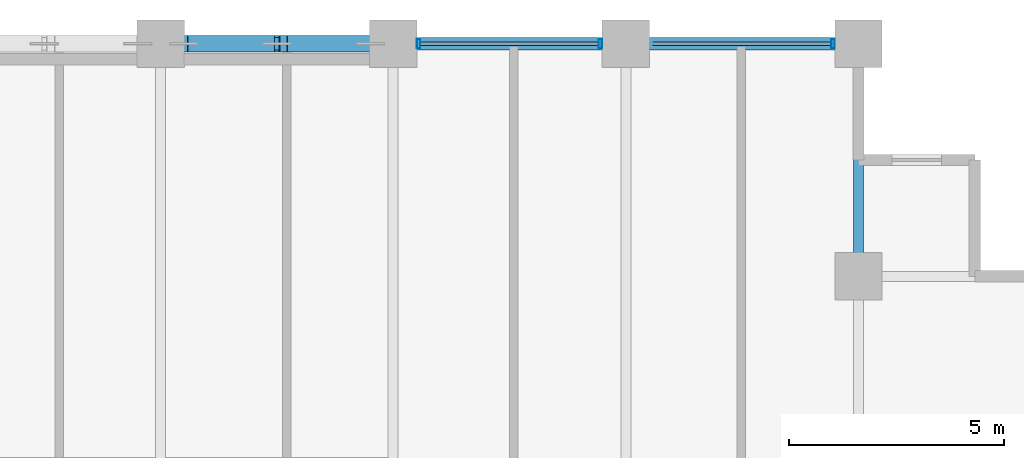
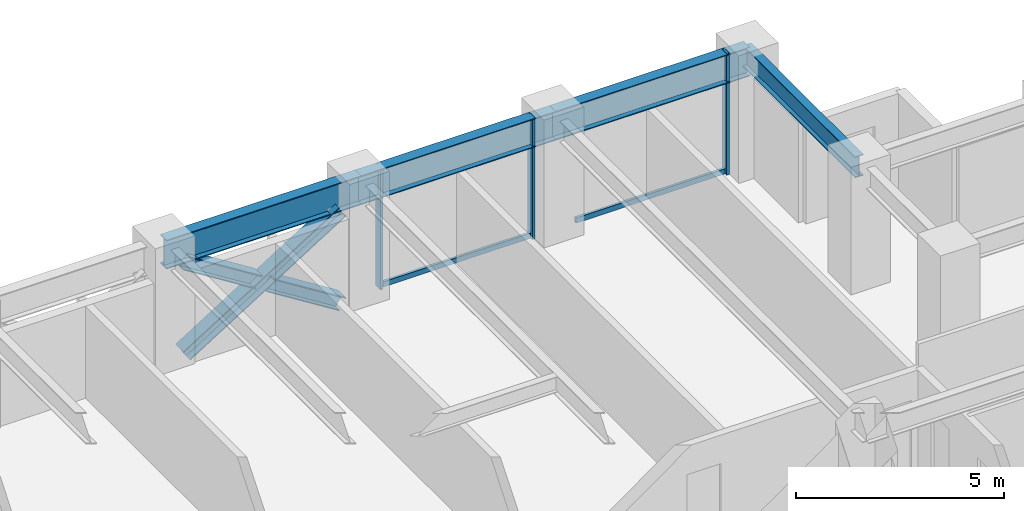
# One storey, part 16 of 25: 8 members, 4 beams, 1 element without a shape of its own.
"""IFC4 building model written with IfcOpenShell, lengths in metres."""

import ifcopenshell
import ifcopenshell.guid

model = None  # the IFC model being written
_history = None  # IfcOwnerHistory: only IFC2X3 demands one
_inside = {}  # id of a spatial element -> (the spatial element, [elements in it])
_under = {}  # id of a project, library or spatial element -> (it, [spatial elements below it])
_declared = {}  # id of a project -> (the project, [libraries it declares])
_typed = {}  # id of a type object -> (the type object, [elements of that type])
_made_of = {}  # id of a material, layer set ... -> (it, [elements and type objects made of it])


def new_model(schema):
    """Start an empty IFC model of exactly this schema.

    Asked for "IFC4X3", IfcOpenShell would pick the latest addendum, in which some entities
    have other attributes; the version numbers below select the first issue.
    IFC2X3 requires an IfcOwnerHistory on every rooted entity: one is made here for all.
    """
    global model, _history
    if schema == "IFC4X3":
        model = ifcopenshell.file(schema_version=(4, 3, 0, 0))
    else:
        model = ifcopenshell.file(schema=schema)
    _inside.clear()
    _under.clear()
    _declared.clear()
    _typed.clear()
    _made_of.clear()
    _history = None
    if model.schema == "IFC2X3":
        org = make("IfcOrganization", Name="unknown")
        user = make(
            "IfcPersonAndOrganization",
            ThePerson=make("IfcPerson", FamilyName="unknown"),
            TheOrganization=org,
        )
        app = make(
            "IfcApplication",
            ApplicationDeveloper=org,
            Version="unknown",
            ApplicationFullName="unknown",
            ApplicationIdentifier="unknown",
        )
        _history = make(
            "IfcOwnerHistory",
            OwningUser=user,
            OwningApplication=app,
            ChangeAction="ADDED",
            CreationDate=0,
        )
    return model


def make(cls, **values):
    """One entity of the class cls with the attributes given. An attribute that is None is left unset."""
    return model.create_entity(
        cls, **{name: value for name, value in values.items() if value is not None}
    )


def rooted(cls, **values):
    """An entity with a GlobalId (a new one), such as an element, a storey or a relation."""
    return make(cls, GlobalId=ifcopenshell.guid.new(), OwnerHistory=_history, **values)


def si_unit(unit_type, name, prefix=None):
    """IfcSIUnit, for example si_unit("LENGTHUNIT", "METRE", prefix="MILLI")."""
    return make("IfcSIUnit", UnitType=unit_type, Prefix=prefix, Name=name)


def assignment(units):
    """IfcUnitAssignment: the units of a project."""
    return None if units is None else make("IfcUnitAssignment", Units=units)


def point(xyz):
    """IfcCartesianPoint."""
    return None if xyz is None else make("IfcCartesianPoint", Coordinates=xyz)


def direction(xyz):
    """IfcDirection."""
    return None if xyz is None else make("IfcDirection", DirectionRatios=xyz)


def frame(location, z_axis=None, x_axis=None):
    """IfcAxis2Placement3D, a coordinate frame: its origin and axes. An axis left out is left unset."""
    return make(
        "IfcAxis2Placement3D",
        Location=point(location),
        Axis=direction(z_axis),
        RefDirection=direction(x_axis),
    )


def frame_2d(location, x_axis=None):
    """IfcAxis2Placement2D, a coordinate frame in the plane: its origin and x axis."""
    return make(
        "IfcAxis2Placement2D", Location=point(location), RefDirection=direction(x_axis)
    )


def origin():
    """The frame at (0, 0, 0) with its axes left unset."""
    return frame((0.0, 0.0, 0.0))


def origin_2d():
    """The frame at (0, 0) in the plane with its x axis left unset."""
    return frame_2d((0.0, 0.0))


def place(relative_to, where):
    """IfcLocalPlacement: puts the frame where relative to a parent placement (None: the world)."""
    return make(
        "IfcLocalPlacement", PlacementRelTo=relative_to, RelativePlacement=where
    )


def context(
    kind, dimensions, precision=None, world=None, true_north=None, identifier=None
):
    """IfcGeometricRepresentationContext, for example the 3D "Model" context."""
    return make(
        "IfcGeometricRepresentationContext",
        ContextIdentifier=identifier,
        ContextType=kind,
        CoordinateSpaceDimension=dimensions,
        Precision=precision,
        WorldCoordinateSystem=world,
        TrueNorth=true_north,
    )


def subcontext(parent, identifier, kind, view, scale=None):
    """IfcGeometricRepresentationSubContext, for example "Body" below "Model"."""
    return make(
        "IfcGeometricRepresentationSubContext",
        ContextIdentifier=identifier,
        ContextType=kind,
        ParentContext=parent,
        TargetScale=scale,
        TargetView=view,
    )


def project(units=None, contexts=None):
    """IfcProject with its units and contexts."""
    return rooted(
        "IfcProject",
        Name="project",
        RepresentationContexts=contexts,
        UnitsInContext=assignment(units),
    )


def spatial(cls, under=None, at=None, **own):
    """A site, building, storey or space (cls), placed at a placement, below another one or the project."""
    s = rooted(cls, ObjectPlacement=at, **own)
    if under is not None:
        _under.setdefault(under.id(), (under, []))[1].append(s)
    return s


def profile(cls, at=None, kind="AREA", **sizes):
    """A parametric profile (cls). Its sizes go by their IFC names, for example OverallWidth=200.0."""
    return make(cls, ProfileType=kind, Position=at, **sizes)


def hollow_rectangle(**sizes):
    """IfcRectangleHollowProfileDef."""
    return profile("IfcRectangleHollowProfileDef", **sizes)


def i_section(**sizes):
    """IfcIShapeProfileDef."""
    return profile("IfcIShapeProfileDef", **sizes)


def extrude(swept, where, along, depth):
    """IfcExtrudedAreaSolid: the profile swept, set in the frame where, extruded along a direction by depth."""
    return make(
        "IfcExtrudedAreaSolid",
        SweptArea=swept,
        Position=where,
        ExtrudedDirection=direction(along),
        Depth=depth,
    )


def shape(context_of_items, identifier, shape_type, items):
    """IfcShapeRepresentation: the items that make up one representation, for example the "Body"."""
    return make(
        "IfcShapeRepresentation",
        ContextOfItems=context_of_items,
        RepresentationIdentifier=identifier,
        RepresentationType=shape_type,
        Items=items,
    )


def material(Name=None, Category=None):
    """IfcMaterial."""
    return make("IfcMaterial", Name=Name, Category=Category)


def layer(
    of_material, thickness, ventilated=None, Name=None, Category=None, Priority=None
):
    """IfcMaterialLayer: one layer of a wall or slab, of a material (None: an air gap)."""
    return make(
        "IfcMaterialLayer",
        Material=of_material,
        LayerThickness=thickness,
        IsVentilated=ventilated,
        Name=Name,
        Category=Category,
        Priority=Priority,
    )


def layer_set(layers, Name=None):
    """IfcMaterialLayerSet."""
    return make("IfcMaterialLayerSet", MaterialLayers=layers, LayerSetName=Name)


def material_profile(
    of_material, cross_section, Name=None, Category=None, Priority=None
):
    """IfcMaterialProfile: a cross section and its material."""
    return make(
        "IfcMaterialProfile",
        Name=Name,
        Material=of_material,
        Profile=cross_section,
        Priority=Priority,
        Category=Category,
    )


def profile_set(profiles, Name=None, composite=None):
    """IfcMaterialProfileSet."""
    return make(
        "IfcMaterialProfileSet",
        Name=Name,
        MaterialProfiles=profiles,
        CompositeProfile=composite,
    )


def made_of(thing, what):
    """Note that an element or type object is made of a material, layer set ...; save() writes the relation."""
    if what is not None:
        _made_of.setdefault(what.id(), (what, []))[1].append(thing)
    return thing


def type_object(cls, material=None, **own):
    """A type object (cls), such as IfcWallType, which elements share."""
    return made_of(rooted(cls, **own), material)


def element(
    cls,
    number,
    at=None,
    inside=None,
    cuts=None,
    type_object=None,
    material=None,
    context=None,
    identifier="Body",
    shape_type=None,
    held_by="IfcProductDefinitionShape",
    body=None,
    shapes=None,
    **own,
):
    """One element of the class cls, such as IfcWall. Its Tag is "e" and its number.

    at: its placement. inside: the storey or other place that contains it. cuts: it is an
    opening in that element (IfcRelVoidsElement). A single representation is given by context,
    identifier, shape_type and body (its items); several are given by shapes. held_by: the class
    of the entity that holds the representations. save() writes the other relations.
    """
    e = rooted(cls, Tag="e%d" % number, ObjectPlacement=at, **own)
    if body is not None:
        shapes = [shape(context, identifier, shape_type, body)]
    if shapes is not None:
        e.Representation = make(held_by, Representations=shapes)
    if inside is not None:
        _inside.setdefault(inside.id(), (inside, []))[1].append(e)
    if cuts is not None:
        rooted(
            "IfcRelVoidsElement", RelatingBuildingElement=cuts, RelatedOpeningElement=e
        )
    if type_object is not None:
        _typed.setdefault(type_object.id(), (type_object, []))[1].append(e)
    return made_of(e, material)


def aggregate(whole, parts):
    """IfcRelAggregates: a whole, such as a stair, and the parts it consists of."""
    return rooted("IfcRelAggregates", RelatingObject=whole, RelatedObjects=parts)


def save(model, path):
    """Write the relations noted so far, then the file.

    IfcRelAggregates (storeys below a building ...), IfcRelContainedInSpatialStructure (elements
    in a storey), IfcRelDefinesByType, IfcRelAssociatesMaterial and IfcRelDeclares: one each for
    every whole, place, type object, material and project.
    """
    for whole, parts in _under.values():
        aggregate(whole, parts)
    for where, things in _inside.values():
        rooted(
            "IfcRelContainedInSpatialStructure",
            RelatedElements=things,
            RelatingStructure=where,
        )
    for kind, things in _typed.values():
        rooted("IfcRelDefinesByType", RelatedObjects=things, RelatingType=kind)
    for what, things in _made_of.values():
        rooted("IfcRelAssociatesMaterial", RelatedObjects=things, RelatingMaterial=what)
    for by, libraries in _declared.values():
        rooted("IfcRelDeclares", RelatingContext=by, RelatedDefinitions=libraries)
    model.write(path)


model = new_model("IFC4")

# Units and contexts
model_context = context("Model", 3, precision=1e-05, world=origin(), true_north=direction((0.0, 1.0)))
body_context = subcontext(model_context, "Body", "Model", "MODEL_VIEW")
ifc_project = project(units=[si_unit("LENGTHUNIT", "METRE"), si_unit("AREAUNIT", "SQUARE_METRE"), si_unit("VOLUMEUNIT", "CUBIC_METRE"), si_unit("PLANEANGLEUNIT", "RADIAN"), si_unit("MASSUNIT", "GRAM", prefix="KILO")], contexts=[model_context])

# Site, building, storey
site_placement = place(None, origin())
site = spatial("IfcSite", under=ifc_project, at=site_placement, CompositionType="ELEMENT")
building_placement = place(site_placement, origin())
building = spatial("IfcBuilding", under=site, at=building_placement, Name="Surkhivell Harbour Commons", CompositionType="ELEMENT")
storey_placement = place(building_placement, frame((0.0, 0.0, 124.5)))
storey = spatial("IfcBuildingStorey", under=building, at=storey_placement, Name="L32", CompositionType="ELEMENT", Elevation=124.5)

# Beams
ifc_material_1 = material(Name="Steel S355", Category="steel")
ifc_material_profile_1 = material_profile(ifc_material_1, i_section(OverallWidth=0.22998046875, OverallDepth=0.616943359375, WebThickness=0.01318359375, FlangeThickness=0.022216796875, at=origin_2d()), Name="UB610x229x140")
ifc_profile_set_1 = profile_set([ifc_material_profile_1], Name="Steel S355")
beam_type_1 = type_object("IfcBeamType", Name="BM-GRD-610B", PredefinedType="BEAM", material=ifc_profile_set_1)
beam_1_placement = place(storey_placement, frame((16.199951171875, 20.5, 3.261474609375), z_axis=(0.0, 1.0, 0.0), x_axis=(-1.0, 0.0, 0.0)))
element("IfcBeam", 1, at=beam_1_placement, inside=storey, type_object=beam_type_1, Name="L32 Floor Girder (16.2,20.5)", PredefinedType="BEAM", context=body_context, shape_type="SweptSolid", body=[
    extrude(i_section(OverallWidth=0.22998046875, OverallDepth=0.616943359375, WebThickness=0.01318359375, FlangeThickness=0.022216796875, at=origin_2d()), origin(), (0.0, 0.0, 1.0), 5.39990234375),
])
ifc_material_2 = material(Name="Steel S460", Category="steel")
ifc_material_profile_2 = material_profile(ifc_material_2, i_section(OverallWidth=0.2939453125, OverallDepth=0.85107421875, WebThickness=0.01611328125, FlangeThickness=0.02685546875, at=origin_2d()), Name="UB838x292x226")
ifc_profile_set_2 = profile_set([ifc_material_profile_2], Name="Steel S460")
beam_type_2 = type_object("IfcBeamType", Name="BM-SPN-838", PredefinedType="SPANDREL", material=ifc_profile_set_2)
beam_2_placement = place(storey_placement, frame((0.0, 25.89990234375, 3.14453125), z_axis=(1.0, 0.0, 0.0), x_axis=(0.0, 1.0, 0.0)))
element("IfcBeam", 2, at=beam_2_placement, inside=storey, type_object=beam_type_2, Name="L32 Tube Spandrel (-0.0,25.9)", PredefinedType="SPANDREL", context=body_context, shape_type="SweptSolid", body=[
    extrude(i_section(OverallWidth=0.2939453125, OverallDepth=0.85107421875, WebThickness=0.01611328125, FlangeThickness=0.02685546875, at=origin_2d()), origin(), (0.0, 0.0, 1.0), 5.39990234375),
])
beam_3_placement = place(storey_placement, frame((5.39990234375, 25.89990234375, 3.14453125), z_axis=(1.0, 0.0, 0.0), x_axis=(0.0, 1.0, 0.0)))
element("IfcBeam", 3, at=beam_3_placement, inside=storey, type_object=beam_type_2, Name="L32 Tube Spandrel (5.4,25.9)", PredefinedType="SPANDREL", context=body_context, shape_type="SweptSolid", body=[
    extrude(i_section(OverallWidth=0.2939453125, OverallDepth=0.85107421875, WebThickness=0.01611328125, FlangeThickness=0.02685546875, at=origin_2d()), origin(), (0.0, 0.0, 1.0), 5.400146484375),
])
beam_4_placement = place(storey_placement, frame((10.800048828125, 25.89990234375, 3.14453125), z_axis=(1.0, 0.0, 0.0), x_axis=(0.0, 1.0, 0.0)))
element("IfcBeam", 4, at=beam_4_placement, inside=storey, type_object=beam_type_2, Name="L32 Tube Spandrel (10.8,25.9)", PredefinedType="SPANDREL", context=body_context, shape_type="SweptSolid", body=[
    extrude(i_section(OverallWidth=0.2939453125, OverallDepth=0.85107421875, WebThickness=0.01611328125, FlangeThickness=0.02685546875, at=origin_2d()), origin(), (0.0, 0.0, 1.0), 5.39990234375),
])

# Curtain wall, members
ifc_material_3 = material(Name="Anodised pale-metal aluminium and insulated glazing", Category="aluminium")
ifc_layer = layer(ifc_material_3, 0.205078125)
ifc_layer_set = layer_set([ifc_layer], Name="Anodised pale-metal aluminium and insulated glazing")
curtain_wall_type = type_object("IfcCurtainWallType", Name="CW-SYS-Z2", PredefinedType="NOTDEFINED", material=ifc_layer_set)
curtain_wall_placement = place(storey_placement, origin())
curtain_wall = element("IfcCurtainWall", 5, at=curtain_wall_placement, inside=storey, type_object=curtain_wall_type, Name="L32 Curtain Wall CW-L32-E07S1", PredefinedType="NOTDEFINED")
ifc_material_4 = material(Name="Anodised pale-metal aluminium alloy 6063-T6", Category="aluminium")
ifc_material_profile_3 = material_profile(ifc_material_4, hollow_rectangle(XDim=0.074951171875, YDim=0.219970703125, WallThickness=0.00390625, at=origin_2d()), Name="ALU-MULL-75x220")
ifc_profile_set_3 = profile_set([ifc_material_profile_3], Name="Anodised pale-metal aluminium alloy 6063-T6")
member_type_1 = type_object("IfcMemberType", Name="CWM-220", PredefinedType="MULLION", material=ifc_profile_set_3)
member_1_placement = place(storey_placement, frame((15.610595703125, 25.89990234375, 0.0), z_axis=(0.0, 0.0, 1.0), x_axis=(-1.0, 0.0, 0.0)))
member_1 = element("IfcMember", 6, at=member_1_placement, type_object=member_type_1, Name="CW-Z2 mullion 1", PredefinedType="MULLION", context=body_context, shape_type="SweptSolid", body=[
    extrude(hollow_rectangle(XDim=0.074951171875, YDim=0.219970703125, WallThickness=0.00390625, at=origin_2d()), origin(), (0.0, 0.0, 1.0), 3.570068359375),
])
member_2_placement = place(storey_placement, frame((10.21044921875, 25.89990234375, 0.0), z_axis=(0.0, 0.0, 1.0), x_axis=(-1.0, 0.0, 0.0)))
member_2 = element("IfcMember", 7, at=member_2_placement, type_object=member_type_1, Name="CW-Z2 mullion 2", PredefinedType="MULLION", context=body_context, shape_type="SweptSolid", body=[
    extrude(hollow_rectangle(XDim=0.074951171875, YDim=0.219970703125, WallThickness=0.00390625, at=origin_2d()), origin(), (0.0, 0.0, 1.0), 3.570068359375),
])
member_3_placement = place(storey_placement, frame((5.989501953125, 25.89990234375, 0.0), z_axis=(0.0, 0.0, 1.0), x_axis=(-1.0, 0.0, 0.0)))
member_3 = element("IfcMember", 8, at=member_3_placement, type_object=member_type_1, Name="CW-Z2 mullion 3", PredefinedType="MULLION", context=body_context, shape_type="SweptSolid", body=[
    extrude(hollow_rectangle(XDim=0.074951171875, YDim=0.219970703125, WallThickness=0.00390625, at=origin_2d()), origin(), (0.0, 0.0, 1.0), 3.570068359375),
])
ifc_material_profile_4 = material_profile(ifc_material_4, hollow_rectangle(XDim=0.074951171875, YDim=0.14990234375, WallThickness=0.00341796875, at=origin_2d()), Name="ALU-TRAN-75x150")
ifc_profile_set_4 = profile_set([ifc_material_profile_4], Name="Anodised pale-metal aluminium alloy 6063-T6")
member_type_2 = type_object("IfcMemberType", Name="CWT-150", PredefinedType="USERDEFINED", material=ifc_profile_set_4)
member_4_placement = place(storey_placement, frame((15.572998046875, 25.89990234375, 0.074951171875), z_axis=(-1.0, 0.0, 0.0), x_axis=(0.0, -1.0, 0.0)))
member_4 = element("IfcMember", 9, at=member_4_placement, type_object=member_type_2, Name="CW-Z2 transom 1.1", ObjectType="TRANSOM", PredefinedType="USERDEFINED", context=body_context, shape_type="SweptSolid", body=[
    extrude(hollow_rectangle(XDim=0.074951171875, YDim=0.14990234375, WallThickness=0.00341796875, at=origin_2d()), origin(), (0.0, 0.0, 1.0), 4.14599609375),
])
member_5_placement = place(storey_placement, frame((10.173095703125, 25.89990234375, 0.074951171875), z_axis=(-1.0, 0.0, 0.0), x_axis=(0.0, -1.0, 0.0)))
member_5 = element("IfcMember", 10, at=member_5_placement, type_object=member_type_2, Name="CW-Z2 transom 2.1", ObjectType="TRANSOM", PredefinedType="USERDEFINED", context=body_context, shape_type="SweptSolid", body=[
    extrude(hollow_rectangle(XDim=0.074951171875, YDim=0.14990234375, WallThickness=0.00341796875, at=origin_2d()), origin(), (0.0, 0.0, 1.0), 4.14599609375),
])
aggregate(curtain_wall, [member_1, member_4, member_2, member_3, member_5])

# Members
ifc_material_profile_5 = material_profile(ifc_material_2, i_section(OverallWidth=0.375, OverallDepth=0.375, WebThickness=0.0166015625, FlangeThickness=0.027099609375, at=origin_2d()), Name="UC356x368x202")
ifc_profile_set_5 = profile_set([ifc_material_profile_5], Name="Steel S460")
member_type_3 = type_object("IfcMemberType", Name="MEM-BRC-UC356", PredefinedType="BRACE", material=ifc_profile_set_5)
member_6_placement = place(storey_placement, frame((0.534912109375, 25.89990234375, 0.008056640625), z_axis=(0.847246015888, 0.0, 0.531200704594), x_axis=(0.0, 1.0, 0.0)))
element("IfcMember", 11, at=member_6_placement, inside=storey, type_object=member_type_3, Name="L32 Perimeter Mega-Brace MB- 04", PredefinedType="BRACE", context=body_context, shape_type="SweptSolid", body=[
    extrude(i_section(OverallWidth=0.375, OverallDepth=0.375, WebThickness=0.0166015625, FlangeThickness=0.027099609375, at=origin_2d()), origin(), (0.0, 0.0, 1.0), 5.11083984375),
])
for number, where, z_axis, x_axis, name in (
    (12, (4.864990234375, 25.89990234375, 0.008056640625), (-0.847206308526, 0.0, 0.53126403115), (0.0, -1.0, 0.0), "L32 Perimeter Mega-Brace MB- 05"),
    (13, (2.547607421875, 25.89990234375, 1.461181640625), (-0.847281565812, 0.0, 0.531143999529), (0.0, -1.0, 0.0), "L32 Perimeter Mega-Brace MB- 06"),
):
    element("IfcMember", number, at=place(storey_placement, frame(where, z_axis=z_axis, x_axis=x_axis)), inside=storey, type_object=member_type_3, Name=name, PredefinedType="BRACE", context=body_context, shape_type="SweptSolid", body=[
        extrude(i_section(OverallWidth=0.375, OverallDepth=0.375, WebThickness=0.0166015625, FlangeThickness=0.027099609375, at=origin_2d()), origin(), (0.0, 0.0, 1.0), 2.37548828125),
    ])

save(model, "model.ifc")
